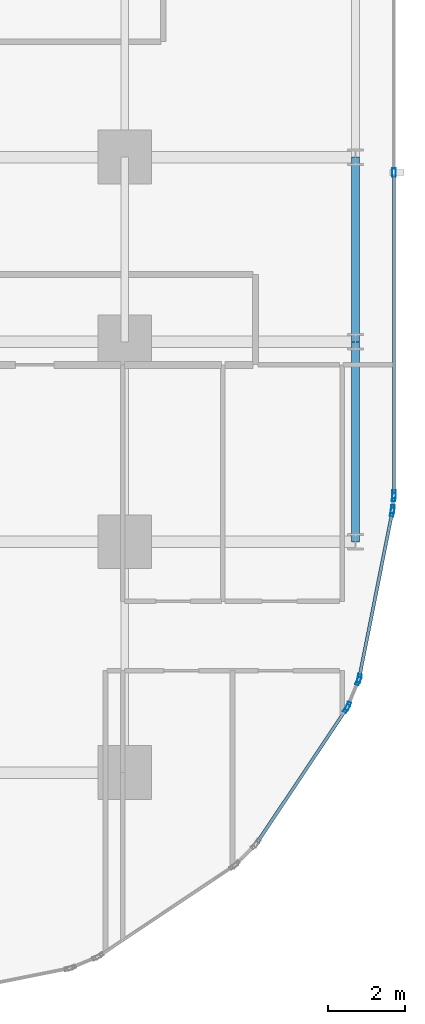
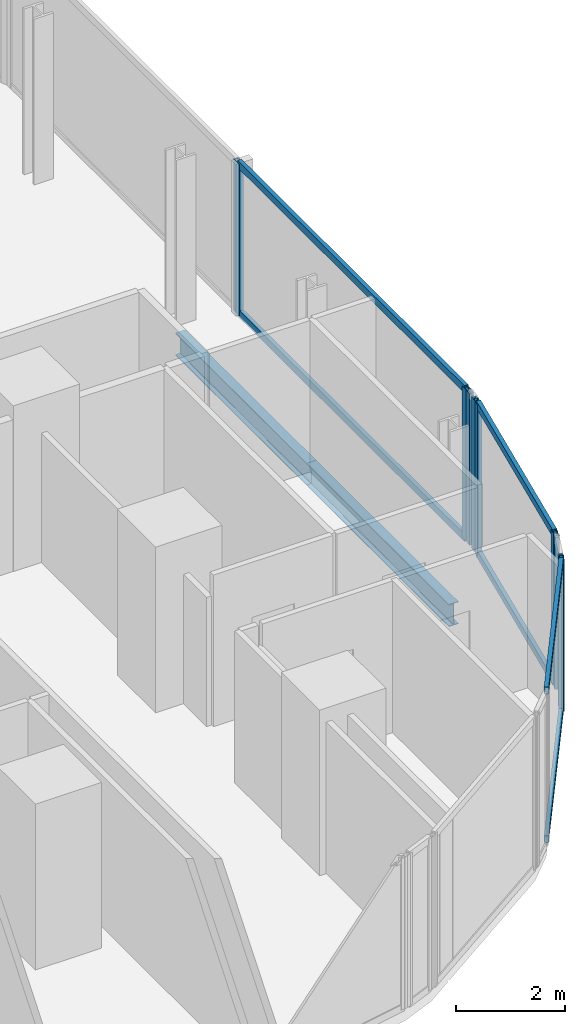
# One storey, part 18 of 34: 15 members, 2 beams, 5 elements without a shape of their own.
"""IFC4 building model written with IfcOpenShell, lengths in metres."""

from ifc_helpers import new_model, si_unit, direction, frame, origin, origin_2d, place, context, subcontext, project, spatial, hollow_rectangle, i_section, extrude, material, layer, layer_set, material_profile, profile_set, type_object, element, aggregate, save


model = new_model("IFC4")

# Units and contexts
model_context = context("Model", 3, precision=1e-05, world=origin(), true_north=direction((0.0, 1.0)))
body_context = subcontext(model_context, "Body", "Model", "MODEL_VIEW")
ifc_project = project(units=[si_unit("LENGTHUNIT", "METRE"), si_unit("AREAUNIT", "SQUARE_METRE"), si_unit("VOLUMEUNIT", "CUBIC_METRE"), si_unit("PLANEANGLEUNIT", "RADIAN"), si_unit("MASSUNIT", "GRAM", prefix="KILO")], contexts=[model_context])

# Site, building, storey
site_placement = place(None, origin())
site = spatial("IfcSite", under=ifc_project, at=site_placement, CompositionType="ELEMENT")
building_placement = place(site_placement, origin())
building = spatial("IfcBuilding", under=site, at=building_placement, Name="Keshet Zoharim Tower", CompositionType="ELEMENT")
storey_placement = place(building_placement, frame((0.0, 0.0, 38.800048828125)))
storey = spatial("IfcBuildingStorey", under=building, at=storey_placement, Name="L08", CompositionType="ELEMENT", Elevation=38.800048828125)

# Beams
ifc_material_1 = material(Name="Steel S355", Category="steel")
ifc_material_profile_1 = material_profile(ifc_material_1, i_section(OverallWidth=0.199951171875, OverallDepth=0.5, WebThickness=0.01025390625, FlangeThickness=0.01611328125, FilletRadius=0.02099609375, at=origin_2d()), Name="IPE500")
ifc_profile_set_1 = profile_set([ifc_material_profile_1], Name="Steel S355")
beam_type = type_object("IfcBeamType", Name="BM-PRI-IP500", PredefinedType="BEAM", material=ifc_profile_set_1)
beam_1_placement = place(storey_placement, frame((69.0, 12.699951171875, -0.56494140625), z_axis=(0.0, 1.0, 0.0), x_axis=(-1.0, 0.0, 0.0)))
element("IfcBeam", 1, at=beam_1_placement, inside=storey, type_object=beam_type, Name="L08 Primary Girder Y-023", PredefinedType="BEAM", context=body_context, shape_type="SweptSolid", body=[
    extrude(i_section(OverallWidth=0.199951171875, OverallDepth=0.5, WebThickness=0.01025390625, FlangeThickness=0.01611328125, FilletRadius=0.02099609375, at=origin_2d()), origin(), (0.0, 0.0, 1.0), 5.199951171875),
])
beam_2_placement = place(storey_placement, frame((69.0, 17.89990234375, -0.56494140625), z_axis=(0.0, 1.0, 0.0), x_axis=(-1.0, 0.0, 0.0)))
element("IfcBeam", 2, at=beam_2_placement, inside=storey, type_object=beam_type, Name="L08 Primary Girder Y-024", PredefinedType="BEAM", context=body_context, shape_type="SweptSolid", body=[
    extrude(i_section(OverallWidth=0.199951171875, OverallDepth=0.5, WebThickness=0.01025390625, FlangeThickness=0.01611328125, FilletRadius=0.02099609375, at=origin_2d()), origin(), (0.0, 0.0, 1.0), 4.800048828125),
])

# Curtain wall, members
ifc_material_2 = material(Name="Aluminium 6063-T6", Category="aluminium")
ifc_layer_1 = layer(ifc_material_2, 0.169921875)
ifc_layer_set_1 = layer_set([ifc_layer_1], Name="Aluminium 6063-T6")
curtain_wall_type_1 = type_object("IfcCurtainWallType", Name="CW-SYS-02", PredefinedType="NOTDEFINED", material=ifc_layer_set_1)
curtain_wall_1_placement = place(storey_placement, origin())
curtain_wall_1 = element("IfcCurtainWall", 3, at=curtain_wall_1_placement, inside=storey, type_object=curtain_wall_type_1, Name="L08 Unitised Curtain Wall 16", PredefinedType="NOTDEFINED")
ifc_material_profile_2 = material_profile(ifc_material_2, hollow_rectangle(XDim=0.090087890625, YDim=0.219970703125, WallThickness=0.0048828125, at=origin_2d()), Name="MUL-90x220")
ifc_profile_set_2 = profile_set([ifc_material_profile_2], Name="Aluminium 6063-T6")
member_type_1 = type_object("IfcMemberType", Name="CWM-M22", PredefinedType="MULLION", material=ifc_profile_set_2)
member_1_placement = place(storey_placement, frame((70.0, 22.298583984375, 0.0), z_axis=(0.0, 0.0, 1.0), x_axis=(1.0, 0.0, 0.0)))
member_1 = element("IfcMember", 4, at=member_1_placement, type_object=member_type_1, Name="CW-02 mullion 2", PredefinedType="MULLION", context=body_context, shape_type="SweptSolid", body=[
    extrude(hollow_rectangle(XDim=0.090087890625, YDim=0.219970703125, WallThickness=0.0048828125, at=origin_2d()), origin(), (0.0, 0.0, 1.0), 3.385009765625),
])
member_2_placement = place(storey_placement, frame((70.0, 13.931884765625, 0.0), z_axis=(0.0, 0.0, 1.0), x_axis=(1.0, 0.0, 0.0)))
member_2 = element("IfcMember", 5, at=member_2_placement, type_object=member_type_1, Name="CW-02 mullion 3", PredefinedType="MULLION", context=body_context, shape_type="SweptSolid", body=[
    extrude(hollow_rectangle(XDim=0.090087890625, YDim=0.219970703125, WallThickness=0.0048828125, at=origin_2d()), origin(), (0.0, 0.0, 1.0), 3.385009765625),
])

curtain_wall_2_placement = place(storey_placement, origin())
curtain_wall_2 = element("IfcCurtainWall", 6, at=curtain_wall_2_placement, inside=storey, type_object=curtain_wall_type_1, Name="L08 Unitised Curtain Wall 17", PredefinedType="NOTDEFINED")
member_3_placement = place(storey_placement, frame((69.99658203125, 13.862060546875, 0.0), z_axis=(0.0, 0.0, 1.0), x_axis=(0.995286657009, -0.096976648633, 0.0)))
member_3 = element("IfcMember", 7, at=member_3_placement, type_object=member_type_1, Name="CW-02 mullion 1", PredefinedType="MULLION", context=body_context, shape_type="SweptSolid", body=[
    extrude(hollow_rectangle(XDim=0.090087890625, YDim=0.219970703125, WallThickness=0.0048828125, at=origin_2d()), origin(), (0.0, 0.0, 1.0), 3.385009765625),
])
member_4_placement = place(storey_placement, frame((69.96533203125, 13.541748046875, 0.0), z_axis=(0.0, 0.0, 1.0), x_axis=(0.995286657009, -0.096976648633, 0.0)))
member_4 = element("IfcMember", 8, at=member_4_placement, type_object=member_type_1, Name="CW-02 mullion 2", PredefinedType="MULLION", context=body_context, shape_type="SweptSolid", body=[
    extrude(hollow_rectangle(XDim=0.090087890625, YDim=0.219970703125, WallThickness=0.0048828125, at=origin_2d()), origin(), (0.0, 0.0, 1.0), 3.385009765625),
])
aggregate(curtain_wall_2, [member_3, member_4])

curtain_wall_3_placement = place(storey_placement, origin())
curtain_wall_3 = element("IfcCurtainWall", 9, at=curtain_wall_3_placement, inside=storey, type_object=curtain_wall_type_1, Name="L08 Unitised Curtain Wall 18", PredefinedType="NOTDEFINED")
member_5_placement = place(storey_placement, frame((69.955078125, 13.47265625, 0.0), z_axis=(0.0, 0.0, 1.0), x_axis=(0.98076917357, -0.195171279072, 0.0)))
member_5 = element("IfcMember", 10, at=member_5_placement, type_object=member_type_1, Name="CW-02 mullion 1", PredefinedType="MULLION", context=body_context, shape_type="SweptSolid", body=[
    extrude(hollow_rectangle(XDim=0.090087890625, YDim=0.219970703125, WallThickness=0.0048828125, at=origin_2d()), origin(), (0.0, 0.0, 1.0), 3.385009765625),
])
member_6_placement = place(storey_placement, frame((69.0947265625, 9.1494140625, 0.0), z_axis=(0.0, 0.0, 1.0), x_axis=(0.98076917357, -0.195171279072, 0.0)))
member_6 = element("IfcMember", 11, at=member_6_placement, type_object=member_type_1, Name="CW-02 mullion 2", PredefinedType="MULLION", context=body_context, shape_type="SweptSolid", body=[
    extrude(hollow_rectangle(XDim=0.090087890625, YDim=0.219970703125, WallThickness=0.0048828125, at=origin_2d()), origin(), (0.0, 0.0, 1.0), 3.385009765625),
])

ifc_layer_2 = layer(ifc_material_2, 0.179931640625)
ifc_layer_set_2 = layer_set([ifc_layer_2], Name="Aluminium 6063-T6")
curtain_wall_type_2 = type_object("IfcCurtainWallType", Name="CW-SYS-01", PredefinedType="NOTDEFINED", material=ifc_layer_set_2)
curtain_wall_4_placement = place(storey_placement, origin())
curtain_wall_4 = element("IfcCurtainWall", 12, at=curtain_wall_4_placement, inside=storey, type_object=curtain_wall_type_2, Name="L08 Unitised Curtain Wall 19", PredefinedType="NOTDEFINED")
member_7_placement = place(storey_placement, frame((69.07470703125, 9.082763671875, 0.0), z_axis=(0.0, 0.0, 1.0), x_axis=(0.923720000557, -0.383068349739, 0.0)))
member_7 = element("IfcMember", 13, at=member_7_placement, type_object=member_type_1, Name="CW-01 mullion 1", PredefinedType="MULLION", context=body_context, shape_type="SweptSolid", body=[
    extrude(hollow_rectangle(XDim=0.090087890625, YDim=0.219970703125, WallThickness=0.0048828125, at=origin_2d()), origin(), (0.0, 0.0, 1.0), 3.385009765625),
])
member_8_placement = place(storey_placement, frame((68.802490234375, 8.42626953125, 0.0), z_axis=(0.0, 0.0, 1.0), x_axis=(0.923720000557, -0.383068349739, 0.0)))
member_8 = element("IfcMember", 14, at=member_8_placement, type_object=member_type_1, Name="CW-01 mullion 2", PredefinedType="MULLION", context=body_context, shape_type="SweptSolid", body=[
    extrude(hollow_rectangle(XDim=0.090087890625, YDim=0.219970703125, WallThickness=0.0048828125, at=origin_2d()), origin(), (0.0, 0.0, 1.0), 3.385009765625),
])
aggregate(curtain_wall_4, [member_7, member_8])

# Curtain wall, member
curtain_wall_5_placement = place(storey_placement, origin())
curtain_wall_5 = element("IfcCurtainWall", 15, at=curtain_wall_5_placement, inside=storey, type_object=curtain_wall_type_2, Name="L08 Unitised Curtain Wall 20", PredefinedType="NOTDEFINED")
member_9_placement = place(storey_placement, frame((68.76953125, 8.364990234375, 0.0), z_axis=(0.0, 0.0, 1.0), x_axis=(0.831474282335, -0.555563243758, 0.0)))
member_9 = element("IfcMember", 16, at=member_9_placement, type_object=member_type_1, Name="CW-01 mullion 1", PredefinedType="MULLION", context=body_context, shape_type="SweptSolid", body=[
    extrude(hollow_rectangle(XDim=0.090087890625, YDim=0.219970703125, WallThickness=0.0048828125, at=origin_2d()), origin(), (0.0, 0.0, 1.0), 3.385009765625),
])

# Member
ifc_material_profile_3 = material_profile(ifc_material_2, hollow_rectangle(XDim=0.0849609375, YDim=0.159912109375, WallThickness=0.00439453125, at=origin_2d()), Name="TRN-85x160")
ifc_profile_set_3 = profile_set([ifc_material_profile_3], Name="Aluminium 6063-T6")
member_type_2 = type_object("IfcMemberType", Name="CWT-T16", PredefinedType="USERDEFINED", material=ifc_profile_set_3)
member_10_placement = place(storey_placement, frame((70.0, 22.263427734375, 0.034912109375), z_axis=(0.0, -1.0, 0.0), x_axis=(1.0, 0.0, 0.0)))
member_10 = element("IfcMember", 17, at=member_10_placement, type_object=member_type_2, Name="CW-02 transom 2.1", ObjectType="TRANSOM", PredefinedType="USERDEFINED", context=body_context, shape_type="SweptSolid", body=[
    extrude(hollow_rectangle(XDim=0.0849609375, YDim=0.159912109375, WallThickness=0.00439453125, at=origin_2d()), origin(), (0.0, 0.0, 1.0), 8.29638671875),
])

member_11_placement = place(storey_placement, frame((70.0, 22.263427734375, 3.349853515625), z_axis=(0.0, -1.0, 0.0), x_axis=(1.0, 0.0, 0.0)))
member_11 = element("IfcMember", 18, at=member_11_placement, type_object=member_type_2, Name="CW-02 transom 2.2", ObjectType="TRANSOM", PredefinedType="USERDEFINED", context=body_context, shape_type="SweptSolid", body=[
    extrude(hollow_rectangle(XDim=0.0849609375, YDim=0.159912109375, WallThickness=0.00439453125, at=origin_2d()), origin(), (0.0, 0.0, 1.0), 8.29638671875),
])

aggregate(curtain_wall_1, [member_1, member_2, member_10, member_11])

member_12_placement = place(storey_placement, frame((69.9482421875, 13.438232421875, 0.034912109375), z_axis=(-0.195174459131, -0.980768540739, 0.0), x_axis=(0.980768540739, -0.195174459131, 0.0)))
member_12 = element("IfcMember", 19, at=member_12_placement, type_object=member_type_2, Name="CW-02 transom 1.1", ObjectType="TRANSOM", PredefinedType="USERDEFINED", context=body_context, shape_type="SweptSolid", body=[
    extrude(hollow_rectangle(XDim=0.0849609375, YDim=0.159912109375, WallThickness=0.00439453125, at=origin_2d()), origin(), (0.0, 0.0, 1.0), 4.338134765625),
])

member_13_placement = place(storey_placement, frame((69.9482421875, 13.438232421875, 3.349853515625), z_axis=(-0.195174459131, -0.980768540739, 0.0), x_axis=(0.980768540739, -0.195174459131, 0.0)))
member_13 = element("IfcMember", 20, at=member_13_placement, type_object=member_type_2, Name="CW-02 transom 1.2", ObjectType="TRANSOM", PredefinedType="USERDEFINED", context=body_context, shape_type="SweptSolid", body=[
    extrude(hollow_rectangle(XDim=0.0849609375, YDim=0.159912109375, WallThickness=0.00439453125, at=origin_2d()), origin(), (0.0, 0.0, 1.0), 4.338134765625),
])

aggregate(curtain_wall_3, [member_5, member_6, member_12, member_13])

member_14_placement = place(storey_placement, frame((68.75, 8.335693359375, 0.034912109375), z_axis=(-0.55555796544, -0.831477809106, 0.0), x_axis=(0.831477809106, -0.55555796544, 0.0)))
member_14 = element("IfcMember", 21, at=member_14_placement, type_object=member_type_2, Name="CW-01 transom 1.1", ObjectType="TRANSOM", PredefinedType="USERDEFINED", context=body_context, shape_type="SweptSolid", body=[
    extrude(hollow_rectangle(XDim=0.0849609375, YDim=0.159912109375, WallThickness=0.00439453125, at=origin_2d()), origin(), (0.0, 0.0, 1.0), 4.136474609375),
])

member_15_placement = place(storey_placement, frame((68.75, 8.335693359375, 3.349853515625), z_axis=(-0.55555796544, -0.831477809106, 0.0), x_axis=(0.831477809106, -0.55555796544, 0.0)))
member_15 = element("IfcMember", 22, at=member_15_placement, type_object=member_type_2, Name="CW-01 transom 1.2", ObjectType="TRANSOM", PredefinedType="USERDEFINED", context=body_context, shape_type="SweptSolid", body=[
    extrude(hollow_rectangle(XDim=0.0849609375, YDim=0.159912109375, WallThickness=0.00439453125, at=origin_2d()), origin(), (0.0, 0.0, 1.0), 4.136474609375),
])

aggregate(curtain_wall_5, [member_9, member_14, member_15])

save(model, "model.ifc")
